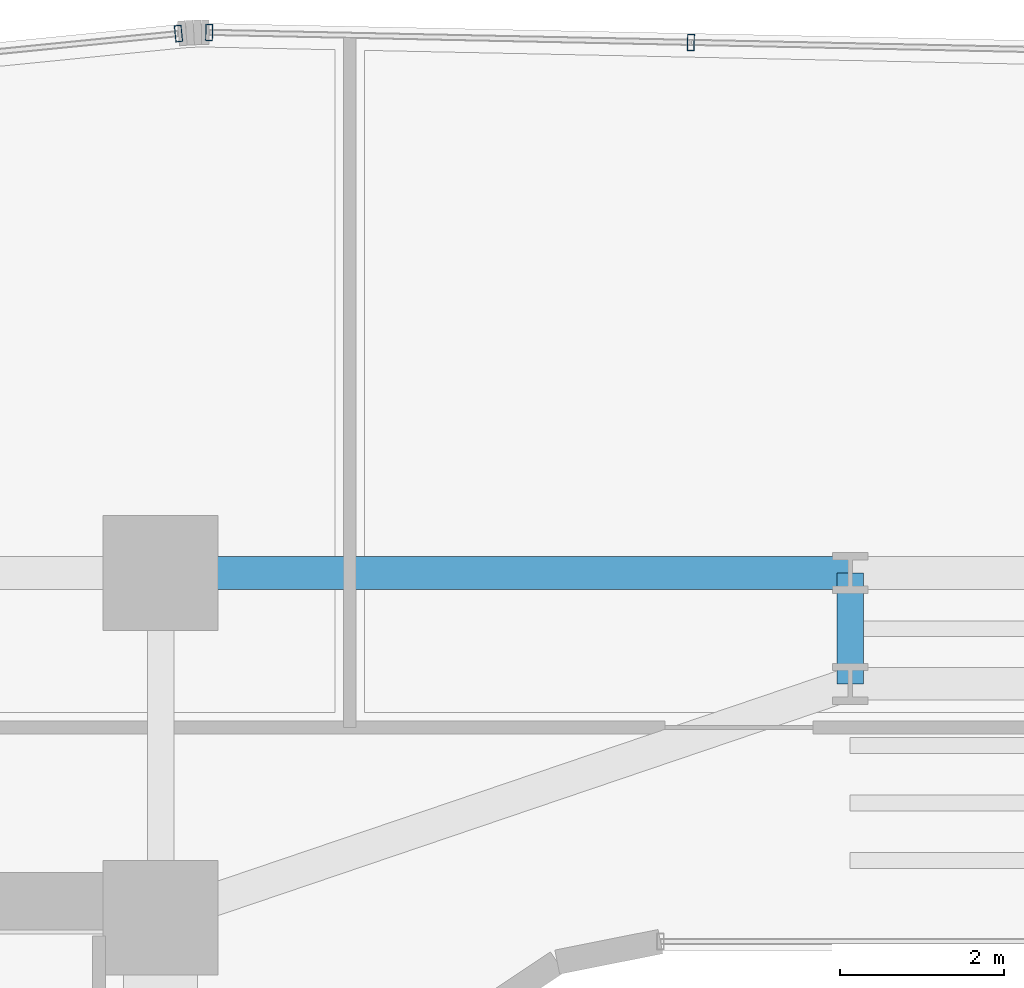
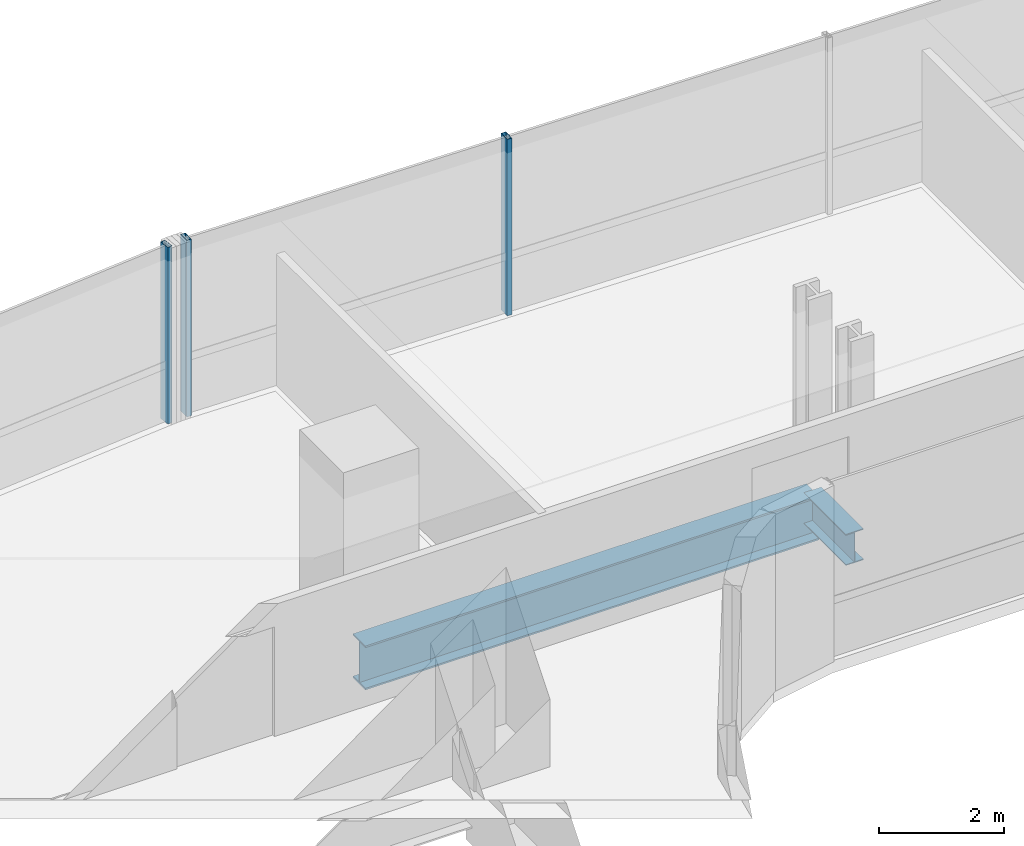
# One storey, part 21 of 40: 3 members, 2 beams, 2 elements without a shape of their own.
"""IFC4 building model written with IfcOpenShell, lengths in metres."""

from ifc_helpers import new_model, si_unit, direction, frame, origin, origin_2d, place, context, subcontext, project, spatial, hollow_rectangle, i_section, extrude, source, transform, mapped, material, material_profile, profile_set, type_object, element, aggregate, save


model = new_model("IFC4")

# Units and contexts
model_context = context("Model", 3, precision=1e-05, world=origin(), true_north=direction((0.0, 1.0)))
body_context = subcontext(model_context, "Body", "Model", "MODEL_VIEW")
ifc_project = project(units=[si_unit("LENGTHUNIT", "METRE"), si_unit("AREAUNIT", "SQUARE_METRE"), si_unit("VOLUMEUNIT", "CUBIC_METRE"), si_unit("PLANEANGLEUNIT", "RADIAN"), si_unit("MASSUNIT", "GRAM", prefix="KILO")], contexts=[model_context])

# Site, building, storey
site_placement = place(None, origin())
site = spatial("IfcSite", under=ifc_project, at=site_placement, CompositionType="ELEMENT")
building_placement = place(site_placement, origin())
building = spatial("IfcBuilding", under=site, at=building_placement, Name="Valdorenza Pilgrim Sanctuary Tower", CompositionType="ELEMENT")
storey_placement = place(building_placement, frame((0.0, 0.0, 48.199951171875)))
storey = spatial("IfcBuildingStorey", under=building, at=storey_placement, Name="L11", CompositionType="ELEMENT", Elevation=48.199951171875)

# Beams
ifc_material_1 = material(Name="Steel ASTM A992 Grade 50", Category="steel")
ifc_material_profile_1 = material_profile(ifc_material_1, i_section(OverallWidth=0.39990234375, OverallDepth=0.862060546875, WebThickness=0.019775390625, FlangeThickness=0.032470703125, at=origin_2d()), Name="W33X221")
ifc_profile_set_1 = profile_set([ifc_material_profile_1], Name="Steel ASTM A992 Grade 50")
beam_type_1 = type_object("IfcBeamType", Name="STR-BM-GRD-W33", PredefinedType="BEAM", material=ifc_profile_set_1)
shared_shape_1 = source(origin(), body_context, "Body", "SweptSolid", [
    extrude(i_section(OverallWidth=0.39990234375, OverallDepth=0.862060546875, WebThickness=0.019775390625, FlangeThickness=0.032470703125, at=origin_2d()), origin(), (0.0, 0.0, 1.0), 8.39990234375),
])
beam_1_placement = place(storey_placement, frame((-12.39990234375, 14.800048828125, -0.6708984375), z_axis=(1.0, 0.0, 0.0), x_axis=(0.0, 1.0, 0.0)))
element("IfcBeam", 1, at=beam_1_placement, inside=storey, type_object=beam_type_1, Name="L11 Floor Girder KNK-G4", PredefinedType="BEAM", context=body_context, shape_type="MappedRepresentation", body=[
    mapped(shared_shape_1, transform((0.0, 0.0, 0.0), x_axis=(1.0, 0.0, 0.0), y_axis=(0.0, 1.0, 0.0), z_axis=(0.0, 0.0, 1.0), scale=1.0)),
])
ifc_material_profile_2 = material_profile(ifc_material_1, i_section(OverallWidth=0.323974609375, OverallDepth=0.611083984375, WebThickness=0.0126953125, FlangeThickness=0.01904296875, at=origin_2d()), Name="W24X104")
ifc_profile_set_2 = profile_set([ifc_material_profile_2], Name="Steel ASTM A992 Grade 50")
beam_type_2 = type_object("IfcBeamType", Name="STR-BM-GRD-W24B", PredefinedType="BEAM", material=ifc_profile_set_2)
shared_shape_2 = source(origin(), body_context, "Body", "SweptSolid", [
    extrude(i_section(OverallWidth=0.323974609375, OverallDepth=0.611083984375, WebThickness=0.0126953125, FlangeThickness=0.01904296875, at=origin_2d()), origin(), (0.0, 0.0, 1.0), 1.35009765625),
])
beam_2_placement = place(storey_placement, frame((-4.0, 13.449951171875, -0.54541015625), z_axis=(0.0, 1.0, 0.0), x_axis=(-1.0, 0.0, 0.0)))
element("IfcBeam", 2, at=beam_2_placement, inside=storey, type_object=beam_type_2, Name="L11 Floor Girder KNK-TIE-W", PredefinedType="BEAM", context=body_context, shape_type="MappedRepresentation", body=[
    mapped(shared_shape_2, transform((0.0, 0.0, 0.0), x_axis=(1.0, 0.0, 0.0), y_axis=(0.0, 1.0, 0.0), z_axis=(0.0, 0.0, 1.0), scale=1.0)),
])

# Curtain wall, member
ifc_material_2 = material(Name="Curtain-wall IGU glazing", Category="glass")
curtain_wall_type = type_object("IfcCurtainWallType", Name="CW-SYS-02", PredefinedType="NOTDEFINED", material=ifc_material_2)
curtain_wall_1_placement = place(storey_placement, origin())
curtain_wall_1 = element("IfcCurtainWall", 3, at=curtain_wall_1_placement, inside=storey, type_object=curtain_wall_type, Name="L11 Curtain Wall CW-L11-1-6", PredefinedType="NOTDEFINED")
ifc_material_3 = material(Name="Anodised aluminium AW-6060", Category="aluminium")
ifc_material_profile_3 = material_profile(ifc_material_3, hollow_rectangle(XDim=0.0849609375, YDim=0.199951171875, WallThickness=0.0048828125, at=origin_2d()), Name="ALU-M 200x85x5")
ifc_profile_set_3 = profile_set([ifc_material_profile_3], Name="Anodised aluminium AW-6060")
member_type = type_object("IfcMemberType", Name="CW-MUL-02", PredefinedType="MULLION", material=ifc_profile_set_3)
shared_shape_3 = source(origin(), body_context, "Body", "SweptSolid", [
    extrude(hollow_rectangle(XDim=0.0849609375, YDim=0.199951171875, WallThickness=0.0048828125, at=origin_2d()), origin(), (0.0, 0.0, 1.0), 3.4599609375),
])
member_1_placement = place(storey_placement, frame((-12.181884765625, 21.371337890625, 0.0), z_axis=(0.0, 0.0, 1.0), x_axis=(0.995038220239, 0.099493418189, 0.0)))
member_1 = element("IfcMember", 4, at=member_1_placement, type_object=member_type, Name="CW-L11-1-6 Mullion 4", PredefinedType="MULLION", context=body_context, shape_type="MappedRepresentation", body=[
    mapped(shared_shape_3, transform((0.0, 0.0, 0.0), x_axis=(1.0, 0.0, 0.0), y_axis=(0.0, 1.0, 0.0), z_axis=(0.0, 0.0, 1.0), scale=1.0)),
])
aggregate(curtain_wall_1, [member_1])

# Curtain wall, members
curtain_wall_2_placement = place(storey_placement, origin())
curtain_wall_2 = element("IfcCurtainWall", 5, at=curtain_wall_2_placement, inside=storey, type_object=curtain_wall_type, Name="L11 Curtain Wall CW-L11-1-11", PredefinedType="NOTDEFINED")
member_2_placement = place(storey_placement, frame((-11.808349609375, 21.385986328125, 0.0), z_axis=(0.0, 0.0, 1.0), x_axis=(0.999783234613, -0.020820273474, 0.0)))
member_2 = element("IfcMember", 6, at=member_2_placement, type_object=member_type, Name="CW-L11-1-11 Mullion 1", PredefinedType="MULLION", context=body_context, shape_type="MappedRepresentation", body=[
    mapped(shared_shape_3, transform((0.0, 0.0, 0.0), x_axis=(1.0, 0.0, 0.0), y_axis=(0.0, 1.0, 0.0), z_axis=(0.0, 0.0, 1.0), scale=1.0)),
])
member_3_placement = place(storey_placement, frame((-5.93994140625, 21.263671875, 0.0), z_axis=(0.0, 0.0, 1.0), x_axis=(0.999783234613, -0.020820273474, 0.0)))
member_3 = element("IfcMember", 7, at=member_3_placement, type_object=member_type, Name="CW-L11-1-11 Mullion 2", PredefinedType="MULLION", context=body_context, shape_type="MappedRepresentation", body=[
    mapped(shared_shape_3, transform((0.0, 0.0, 0.0), x_axis=(1.0, 0.0, 0.0), y_axis=(0.0, 1.0, 0.0), z_axis=(0.0, 0.0, 1.0), scale=1.0)),
])
aggregate(curtain_wall_2, [member_2, member_3])

save(model, "model.ifc")
